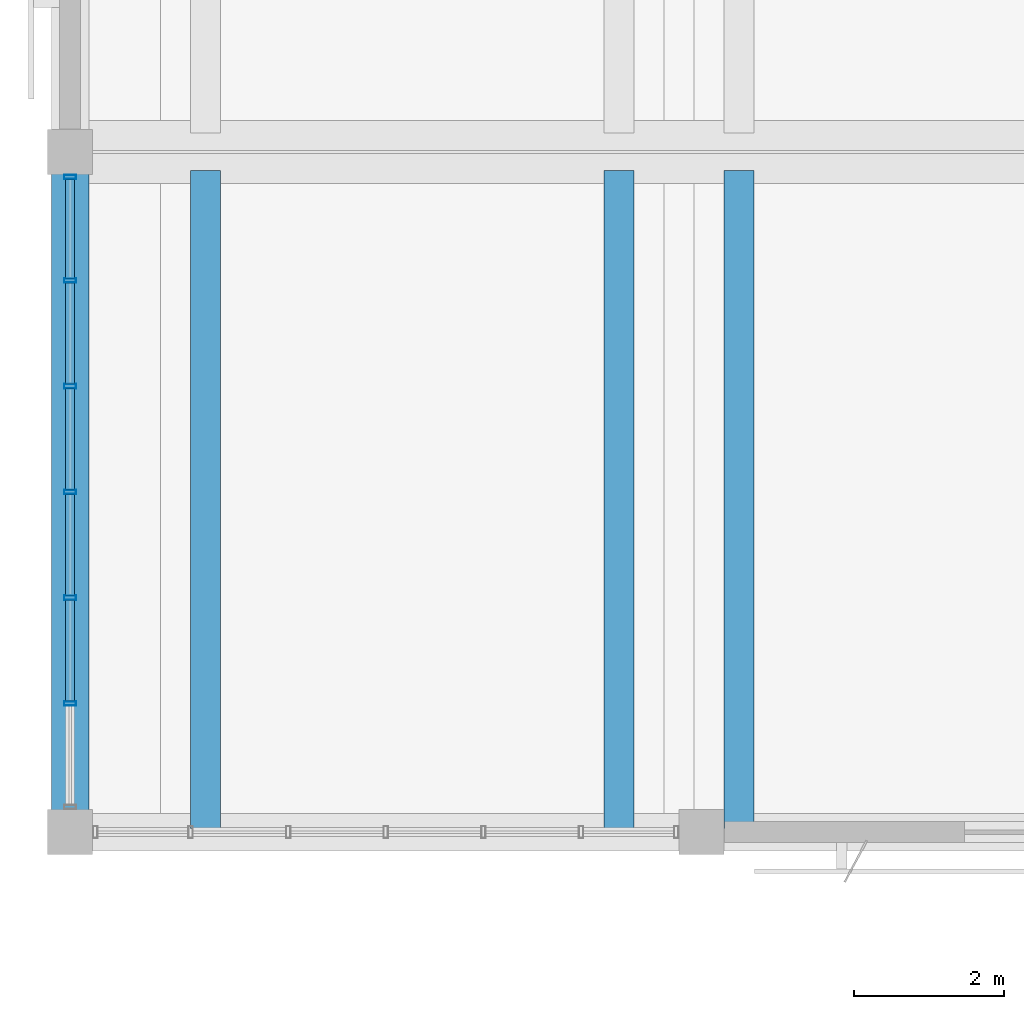
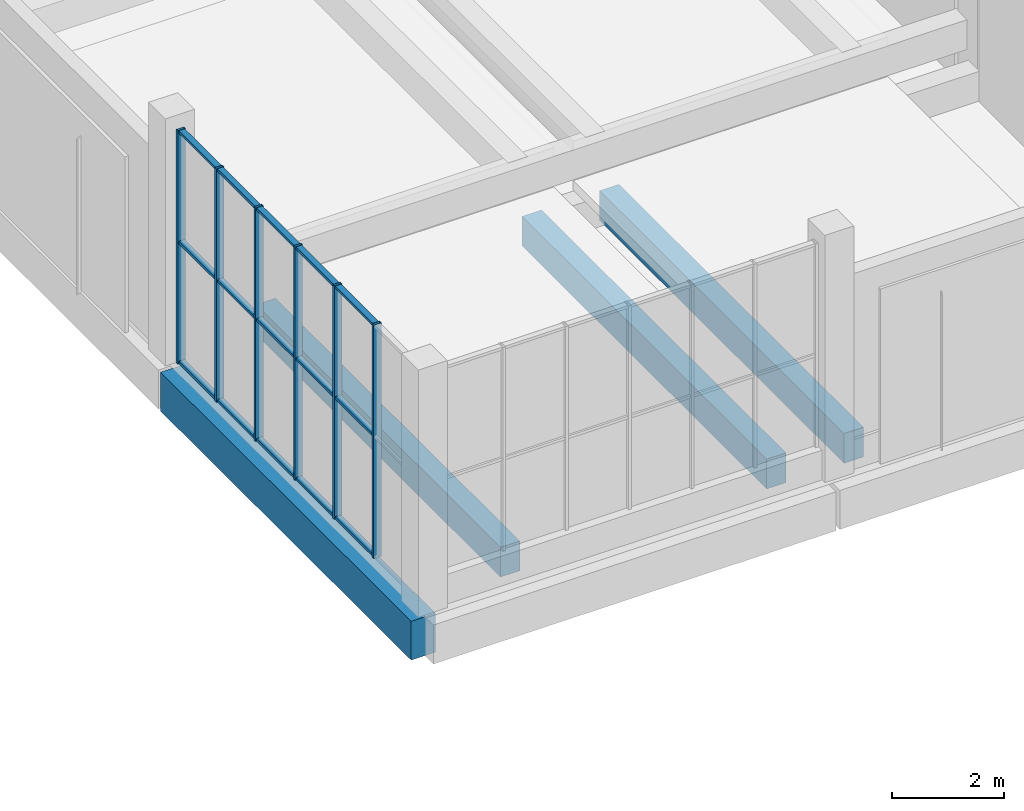
# One storey, part 21 of 132: 21 members, 4 beams, 1 element without a shape of its own.
"""IFC4 building model written with IfcOpenShell, lengths in metres."""

from ifc_helpers import new_model, si_unit, direction, frame, origin, origin_2d, place, context, subcontext, project, spatial, rectangle, hollow_rectangle, extrude, material, material_profile, profile_set, type_object, element, aggregate, save


model = new_model("IFC4")

# Units and contexts
model_context = context("Model", 3, precision=1e-05, world=origin(), true_north=direction((0.0, 1.0)))
body_context = subcontext(model_context, "Body", "Model", "MODEL_VIEW")
ifc_project = project(units=[si_unit("LENGTHUNIT", "METRE"), si_unit("AREAUNIT", "SQUARE_METRE"), si_unit("VOLUMEUNIT", "CUBIC_METRE"), si_unit("PLANEANGLEUNIT", "RADIAN"), si_unit("MASSUNIT", "GRAM", prefix="KILO")], contexts=[model_context])

# Site, building, storey
site_placement = place(None, origin())
site = spatial("IfcSite", under=ifc_project, at=site_placement, CompositionType="ELEMENT")
building_placement = place(site_placement, origin())
building = spatial("IfcBuilding", under=site, at=building_placement, Name="Khurvash Pelagic Aquarium", CompositionType="ELEMENT")
storey_placement = place(building_placement, frame((0.0, 0.0, 5.39990234375)))
storey = spatial("IfcBuildingStorey", under=building, at=storey_placement, Name="L01", CompositionType="ELEMENT", Elevation=5.39990234375)

# Beams
ifc_material_1 = material(Name="Concrete C35/45", Category="concrete")
ifc_material_profile_1 = material_profile(ifc_material_1, rectangle(XDim=0.39990234375, YDim=0.64990234375, at=origin_2d()), Name="RC400X650")
ifc_profile_set_1 = profile_set([ifc_material_profile_1], Name="Concrete C35/45")
beam_type_1 = type_object("IfcBeamType", Name="BM-05", PredefinedType="BEAM", material=ifc_profile_set_1)
for number, where, z_axis, x_axis, name in (
    (1, (1.800048828125, 56.949951171875, 0.3251953125), (0.0, 1.0, 0.0), (-1.0, 0.0, 0.0), "L01 Auditorium Tier Stringer Beam BM-05"),
    (2, (7.300048828125, 56.949951171875, 0.3251953125), (0.0, 1.0, 0.0), (-1.0, 0.0, 0.0), "L01 Auditorium Tier Stringer Beam BM-05"),
    (3, (8.89990234375, 56.949951171875, 0.3251953125), (0.0, 1.0, 0.0), (-1.0, 0.0, 0.0), "L01 Auditorium Tier Stringer Beam BM-05"),
):
    element("IfcBeam", number, at=place(storey_placement, frame(where, z_axis=z_axis, x_axis=x_axis)), inside=storey, type_object=beam_type_1, Name=name, PredefinedType="BEAM", context=body_context, shape_type="SweptSolid", body=[
        extrude(rectangle(XDim=0.39990234375, YDim=0.64990234375, at=origin_2d()), origin(), (0.0, 0.0, 1.0), 8.75),
    ])

# Curtain wall, members
ifc_material_2 = material(Name="Anodised aluminium and low-E laminated glass", Category="aluminium")
curtain_wall_type = type_object("IfcCurtainWallType", Name="CW-06", PredefinedType="USERDEFINED", material=ifc_material_2)
curtain_wall_placement = place(storey_placement, origin())
curtain_wall = element("IfcCurtainWall", 4, at=curtain_wall_placement, inside=storey, type_object=curtain_wall_type, Name="L01 Facade Unitised Curtain Wall CW-06 0126", ObjectType="UNITISED CURTAIN WALL", PredefinedType="USERDEFINED")
ifc_material_3 = material(Name="Extruded aluminium AW-6063-T6", Category="aluminium")
ifc_material_profile_2 = material_profile(ifc_material_3, hollow_rectangle(XDim=0.06005859375, YDim=0.159912109375, WallThickness=0.00390625, at=origin_2d()), Name="CWM60X160X4")
ifc_profile_set_2 = profile_set([ifc_material_profile_2], Name="Extruded aluminium AW-6063-T6")
member_type_1 = type_object("IfcMemberType", Name="CM-02", PredefinedType="MULLION", material=ifc_profile_set_2)
member_1_placement = place(storey_placement, frame((0.0, 65.614990234375, 0.0), z_axis=(0.0, 0.0, 1.0), x_axis=(0.0, -1.0, 0.0)))
member_1 = element("IfcMember", 5, at=member_1_placement, type_object=member_type_1, Name="CW-06 mullion 1", PredefinedType="MULLION", context=body_context, shape_type="SweptSolid", body=[
    extrude(hollow_rectangle(XDim=0.06005859375, YDim=0.159912109375, WallThickness=0.00390625, at=origin_2d()), origin(), (0.0, 0.0, 1.0), 5.10009765625),
])
member_2_placement = place(storey_placement, frame((0.0, 64.23828125, 0.0), z_axis=(0.0, 0.0, 1.0), x_axis=(0.0, -1.0, 0.0)))
member_2 = element("IfcMember", 6, at=member_2_placement, type_object=member_type_1, Name="CW-06 mullion 2", PredefinedType="MULLION", context=body_context, shape_type="SweptSolid", body=[
    extrude(hollow_rectangle(XDim=0.06005859375, YDim=0.159912109375, WallThickness=0.00390625, at=origin_2d()), origin(), (0.0, 0.0, 1.0), 5.10009765625),
])
member_3_placement = place(storey_placement, frame((0.0, 62.831787109375, 0.0), z_axis=(0.0, 0.0, 1.0), x_axis=(0.0, -1.0, 0.0)))
member_3 = element("IfcMember", 7, at=member_3_placement, type_object=member_type_1, Name="CW-06 mullion 3", PredefinedType="MULLION", context=body_context, shape_type="SweptSolid", body=[
    extrude(hollow_rectangle(XDim=0.06005859375, YDim=0.159912109375, WallThickness=0.00390625, at=origin_2d()), origin(), (0.0, 0.0, 1.0), 5.10009765625),
])
member_4_placement = place(storey_placement, frame((0.0, 61.425048828125, 0.0), z_axis=(0.0, 0.0, 1.0), x_axis=(0.0, -1.0, 0.0)))
member_4 = element("IfcMember", 8, at=member_4_placement, type_object=member_type_1, Name="CW-06 mullion 4", PredefinedType="MULLION", context=body_context, shape_type="SweptSolid", body=[
    extrude(hollow_rectangle(XDim=0.06005859375, YDim=0.159912109375, WallThickness=0.00390625, at=origin_2d()), origin(), (0.0, 0.0, 1.0), 5.10009765625),
])
member_5_placement = place(storey_placement, frame((0.0, 60.018310546875, 0.0), z_axis=(0.0, 0.0, 1.0), x_axis=(0.0, -1.0, 0.0)))
member_5 = element("IfcMember", 9, at=member_5_placement, type_object=member_type_1, Name="CW-06 mullion 5", PredefinedType="MULLION", context=body_context, shape_type="SweptSolid", body=[
    extrude(hollow_rectangle(XDim=0.06005859375, YDim=0.159912109375, WallThickness=0.00390625, at=origin_2d()), origin(), (0.0, 0.0, 1.0), 5.10009765625),
])
member_6_placement = place(storey_placement, frame((0.0, 58.611572265625, 0.0), z_axis=(0.0, 0.0, 1.0), x_axis=(0.0, -1.0, 0.0)))
member_6 = element("IfcMember", 10, at=member_6_placement, type_object=member_type_1, Name="CW-06 mullion 6", PredefinedType="MULLION", context=body_context, shape_type="SweptSolid", body=[
    extrude(hollow_rectangle(XDim=0.06005859375, YDim=0.159912109375, WallThickness=0.00390625, at=origin_2d()), origin(), (0.0, 0.0, 1.0), 5.10009765625),
])
ifc_material_profile_3 = material_profile(ifc_material_3, hollow_rectangle(XDim=0.1201171875, YDim=0.06005859375, WallThickness=0.00390625, at=origin_2d()), Name="CWT120X60X4")
ifc_profile_set_3 = profile_set([ifc_material_profile_3], Name="Extruded aluminium AW-6063-T6")
member_type_2 = type_object("IfcMemberType", Name="CT-02", PredefinedType="USERDEFINED", material=ifc_profile_set_3)
member_7_placement = place(storey_placement, frame((0.0, 65.5849609375, 0.030029296875), z_axis=(0.0, -1.0, 0.0), x_axis=(1.0, 0.0, 0.0)))
member_7 = element("IfcMember", 11, at=member_7_placement, type_object=member_type_2, Name="CW-06 transom 1.1", ObjectType="TRANSOM", PredefinedType="USERDEFINED", context=body_context, shape_type="SweptSolid", body=[
    extrude(hollow_rectangle(XDim=0.1201171875, YDim=0.06005859375, WallThickness=0.00390625, at=origin_2d()), origin(), (0.0, 0.0, 1.0), 1.316650390625),
])
member_8_placement = place(storey_placement, frame((0.0, 65.5849609375, 2.652099609375), z_axis=(0.0, -1.0, 0.0), x_axis=(1.0, 0.0, 0.0)))
member_8 = element("IfcMember", 12, at=member_8_placement, type_object=member_type_2, Name="CW-06 transom 1.2", ObjectType="TRANSOM", PredefinedType="USERDEFINED", context=body_context, shape_type="SweptSolid", body=[
    extrude(hollow_rectangle(XDim=0.1201171875, YDim=0.06005859375, WallThickness=0.00390625, at=origin_2d()), origin(), (0.0, 0.0, 1.0), 1.316650390625),
])
member_9_placement = place(storey_placement, frame((0.0, 65.5849609375, 5.070068359375), z_axis=(0.0, -1.0, 0.0), x_axis=(1.0, 0.0, 0.0)))
member_9 = element("IfcMember", 13, at=member_9_placement, type_object=member_type_2, Name="CW-06 transom 1.3", ObjectType="TRANSOM", PredefinedType="USERDEFINED", context=body_context, shape_type="SweptSolid", body=[
    extrude(hollow_rectangle(XDim=0.1201171875, YDim=0.06005859375, WallThickness=0.00390625, at=origin_2d()), origin(), (0.0, 0.0, 1.0), 1.316650390625),
])
member_10_placement = place(storey_placement, frame((0.0, 64.208251953125, 0.030029296875), z_axis=(0.0, -1.0, 0.0), x_axis=(1.0, 0.0, 0.0)))
member_10 = element("IfcMember", 14, at=member_10_placement, type_object=member_type_2, Name="CW-06 transom 2.1", ObjectType="TRANSOM", PredefinedType="USERDEFINED", context=body_context, shape_type="SweptSolid", body=[
    extrude(hollow_rectangle(XDim=0.1201171875, YDim=0.06005859375, WallThickness=0.00390625, at=origin_2d()), origin(), (0.0, 0.0, 1.0), 1.3466796875),
])
member_11_placement = place(storey_placement, frame((0.0, 64.208251953125, 2.652099609375), z_axis=(0.0, -1.0, 0.0), x_axis=(1.0, 0.0, 0.0)))
member_11 = element("IfcMember", 15, at=member_11_placement, type_object=member_type_2, Name="CW-06 transom 2.2", ObjectType="TRANSOM", PredefinedType="USERDEFINED", context=body_context, shape_type="SweptSolid", body=[
    extrude(hollow_rectangle(XDim=0.1201171875, YDim=0.06005859375, WallThickness=0.00390625, at=origin_2d()), origin(), (0.0, 0.0, 1.0), 1.3466796875),
])
member_12_placement = place(storey_placement, frame((0.0, 64.208251953125, 5.070068359375), z_axis=(0.0, -1.0, 0.0), x_axis=(1.0, 0.0, 0.0)))
member_12 = element("IfcMember", 16, at=member_12_placement, type_object=member_type_2, Name="CW-06 transom 2.3", ObjectType="TRANSOM", PredefinedType="USERDEFINED", context=body_context, shape_type="SweptSolid", body=[
    extrude(hollow_rectangle(XDim=0.1201171875, YDim=0.06005859375, WallThickness=0.00390625, at=origin_2d()), origin(), (0.0, 0.0, 1.0), 1.3466796875),
])
member_13_placement = place(storey_placement, frame((0.0, 62.8017578125, 0.030029296875), z_axis=(0.0, -1.0, 0.0), x_axis=(1.0, 0.0, 0.0)))
member_13 = element("IfcMember", 17, at=member_13_placement, type_object=member_type_2, Name="CW-06 transom 3.1", ObjectType="TRANSOM", PredefinedType="USERDEFINED", context=body_context, shape_type="SweptSolid", body=[
    extrude(hollow_rectangle(XDim=0.1201171875, YDim=0.06005859375, WallThickness=0.00390625, at=origin_2d()), origin(), (0.0, 0.0, 1.0), 1.3466796875),
])
member_14_placement = place(storey_placement, frame((0.0, 62.8017578125, 2.652099609375), z_axis=(0.0, -1.0, 0.0), x_axis=(1.0, 0.0, 0.0)))
member_14 = element("IfcMember", 18, at=member_14_placement, type_object=member_type_2, Name="CW-06 transom 3.2", ObjectType="TRANSOM", PredefinedType="USERDEFINED", context=body_context, shape_type="SweptSolid", body=[
    extrude(hollow_rectangle(XDim=0.1201171875, YDim=0.06005859375, WallThickness=0.00390625, at=origin_2d()), origin(), (0.0, 0.0, 1.0), 1.3466796875),
])
member_15_placement = place(storey_placement, frame((0.0, 62.8017578125, 5.070068359375), z_axis=(0.0, -1.0, 0.0), x_axis=(1.0, 0.0, 0.0)))
member_15 = element("IfcMember", 19, at=member_15_placement, type_object=member_type_2, Name="CW-06 transom 3.3", ObjectType="TRANSOM", PredefinedType="USERDEFINED", context=body_context, shape_type="SweptSolid", body=[
    extrude(hollow_rectangle(XDim=0.1201171875, YDim=0.06005859375, WallThickness=0.00390625, at=origin_2d()), origin(), (0.0, 0.0, 1.0), 1.3466796875),
])
member_16_placement = place(storey_placement, frame((0.0, 61.39501953125, 0.030029296875), z_axis=(0.0, -1.0, 0.0), x_axis=(1.0, 0.0, 0.0)))
member_16 = element("IfcMember", 20, at=member_16_placement, type_object=member_type_2, Name="CW-06 transom 4.1", ObjectType="TRANSOM", PredefinedType="USERDEFINED", context=body_context, shape_type="SweptSolid", body=[
    extrude(hollow_rectangle(XDim=0.1201171875, YDim=0.06005859375, WallThickness=0.00390625, at=origin_2d()), origin(), (0.0, 0.0, 1.0), 1.3466796875),
])
member_17_placement = place(storey_placement, frame((0.0, 61.39501953125, 2.652099609375), z_axis=(0.0, -1.0, 0.0), x_axis=(1.0, 0.0, 0.0)))
member_17 = element("IfcMember", 21, at=member_17_placement, type_object=member_type_2, Name="CW-06 transom 4.2", ObjectType="TRANSOM", PredefinedType="USERDEFINED", context=body_context, shape_type="SweptSolid", body=[
    extrude(hollow_rectangle(XDim=0.1201171875, YDim=0.06005859375, WallThickness=0.00390625, at=origin_2d()), origin(), (0.0, 0.0, 1.0), 1.3466796875),
])
member_18_placement = place(storey_placement, frame((0.0, 61.39501953125, 5.070068359375), z_axis=(0.0, -1.0, 0.0), x_axis=(1.0, 0.0, 0.0)))
member_18 = element("IfcMember", 22, at=member_18_placement, type_object=member_type_2, Name="CW-06 transom 4.3", ObjectType="TRANSOM", PredefinedType="USERDEFINED", context=body_context, shape_type="SweptSolid", body=[
    extrude(hollow_rectangle(XDim=0.1201171875, YDim=0.06005859375, WallThickness=0.00390625, at=origin_2d()), origin(), (0.0, 0.0, 1.0), 1.3466796875),
])
member_19_placement = place(storey_placement, frame((0.0, 59.98828125, 0.030029296875), z_axis=(0.0, -1.0, 0.0), x_axis=(1.0, 0.0, 0.0)))
member_19 = element("IfcMember", 23, at=member_19_placement, type_object=member_type_2, Name="CW-06 transom 5.1", ObjectType="TRANSOM", PredefinedType="USERDEFINED", context=body_context, shape_type="SweptSolid", body=[
    extrude(hollow_rectangle(XDim=0.1201171875, YDim=0.06005859375, WallThickness=0.00390625, at=origin_2d()), origin(), (0.0, 0.0, 1.0), 1.3466796875),
])
member_20_placement = place(storey_placement, frame((0.0, 59.98828125, 2.652099609375), z_axis=(0.0, -1.0, 0.0), x_axis=(1.0, 0.0, 0.0)))
member_20 = element("IfcMember", 24, at=member_20_placement, type_object=member_type_2, Name="CW-06 transom 5.2", ObjectType="TRANSOM", PredefinedType="USERDEFINED", context=body_context, shape_type="SweptSolid", body=[
    extrude(hollow_rectangle(XDim=0.1201171875, YDim=0.06005859375, WallThickness=0.00390625, at=origin_2d()), origin(), (0.0, 0.0, 1.0), 1.3466796875),
])
member_21_placement = place(storey_placement, frame((0.0, 59.98828125, 5.070068359375), z_axis=(0.0, -1.0, 0.0), x_axis=(1.0, 0.0, 0.0)))
member_21 = element("IfcMember", 25, at=member_21_placement, type_object=member_type_2, Name="CW-06 transom 5.3", ObjectType="TRANSOM", PredefinedType="USERDEFINED", context=body_context, shape_type="SweptSolid", body=[
    extrude(hollow_rectangle(XDim=0.1201171875, YDim=0.06005859375, WallThickness=0.00390625, at=origin_2d()), origin(), (0.0, 0.0, 1.0), 1.3466796875),
])
aggregate(curtain_wall, [member_1, member_2, member_3, member_4, member_5, member_6, member_7, member_8, member_9, member_10, member_11, member_12, member_13, member_14, member_15, member_16, member_17, member_18, member_19, member_20, member_21])

# Beam
ifc_material_4 = material(Name="Concrete C40/50", Category="concrete")
ifc_material_profile_4 = material_profile(ifc_material_4, rectangle(XDim=0.5, YDim=0.85009765625, at=origin_2d()), Name="RC500X850")
ifc_profile_set_4 = profile_set([ifc_material_profile_4], Name="Concrete C40/50")
beam_type_2 = type_object("IfcBeamType", Name="SEB-03", PredefinedType="SPANDREL", material=ifc_profile_set_4)
beam_placement = place(storey_placement, frame((0.0, 56.93994140625, -0.73486328125), z_axis=(0.0, 1.0, 0.0), x_axis=(-1.0, 0.0, 0.0)))
element("IfcBeam", 26, at=beam_placement, inside=storey, type_object=beam_type_2, Name="L01 Primary Girder SEB-03 00347", PredefinedType="SPANDREL", context=body_context, shape_type="SweptSolid", body=[
    extrude(rectangle(XDim=0.5, YDim=0.85009765625, at=origin_2d()), origin(), (0.0, 0.0, 1.0), 8.969970703125),
])

save(model, "model.ifc")
